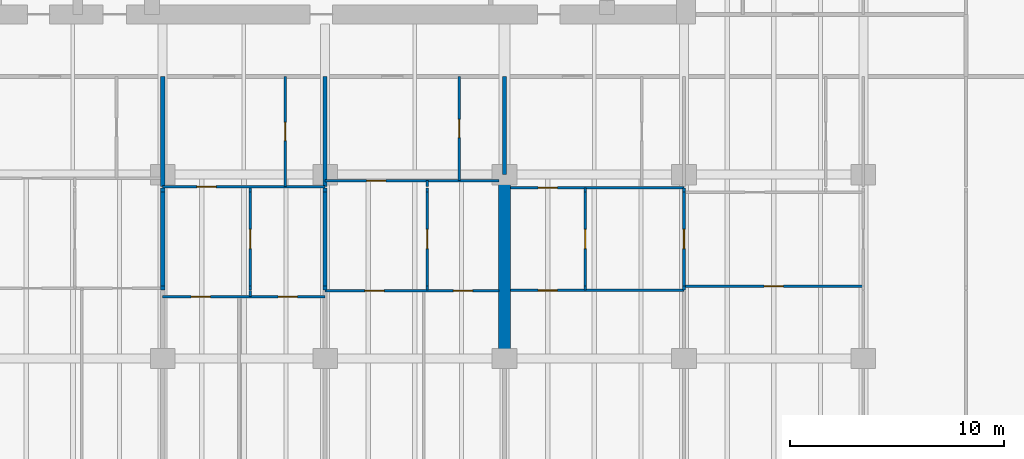
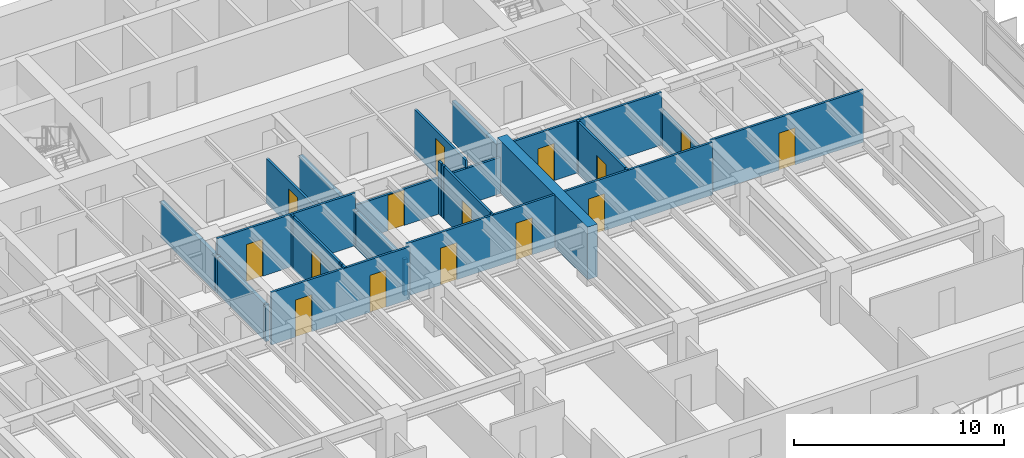
# One storey, part 9 of 18: 33 walls, 15 doors, 15 openings.
"""IFC4 building model written with IfcOpenShell, lengths in metres."""

import ifcopenshell
import ifcopenshell.guid

model = None  # the IFC model being written
_history = None  # IfcOwnerHistory: only IFC2X3 demands one
_inside = {}  # id of a spatial element -> (the spatial element, [elements in it])
_under = {}  # id of a project, library or spatial element -> (it, [spatial elements below it])
_declared = {}  # id of a project -> (the project, [libraries it declares])
_typed = {}  # id of a type object -> (the type object, [elements of that type])
_made_of = {}  # id of a material, layer set ... -> (it, [elements and type objects made of it])


def new_model(schema):
    """Start an empty IFC model of exactly this schema.

    Asked for "IFC4X3", IfcOpenShell would pick the latest addendum, in which some entities
    have other attributes; the version numbers below select the first issue.
    IFC2X3 requires an IfcOwnerHistory on every rooted entity: one is made here for all.
    """
    global model, _history
    if schema == "IFC4X3":
        model = ifcopenshell.file(schema_version=(4, 3, 0, 0))
    else:
        model = ifcopenshell.file(schema=schema)
    _inside.clear()
    _under.clear()
    _declared.clear()
    _typed.clear()
    _made_of.clear()
    _history = None
    if model.schema == "IFC2X3":
        org = make("IfcOrganization", Name="unknown")
        user = make(
            "IfcPersonAndOrganization",
            ThePerson=make("IfcPerson", FamilyName="unknown"),
            TheOrganization=org,
        )
        app = make(
            "IfcApplication",
            ApplicationDeveloper=org,
            Version="unknown",
            ApplicationFullName="unknown",
            ApplicationIdentifier="unknown",
        )
        _history = make(
            "IfcOwnerHistory",
            OwningUser=user,
            OwningApplication=app,
            ChangeAction="ADDED",
            CreationDate=0,
        )
    return model


def make(cls, **values):
    """One entity of the class cls with the attributes given. An attribute that is None is left unset."""
    return model.create_entity(
        cls, **{name: value for name, value in values.items() if value is not None}
    )


def rooted(cls, **values):
    """An entity with a GlobalId (a new one), such as an element, a storey or a relation."""
    return make(cls, GlobalId=ifcopenshell.guid.new(), OwnerHistory=_history, **values)


def si_unit(unit_type, name, prefix=None):
    """IfcSIUnit, for example si_unit("LENGTHUNIT", "METRE", prefix="MILLI")."""
    return make("IfcSIUnit", UnitType=unit_type, Prefix=prefix, Name=name)


def assignment(units):
    """IfcUnitAssignment: the units of a project."""
    return None if units is None else make("IfcUnitAssignment", Units=units)


def point(xyz):
    """IfcCartesianPoint."""
    return None if xyz is None else make("IfcCartesianPoint", Coordinates=xyz)


def direction(xyz):
    """IfcDirection."""
    return None if xyz is None else make("IfcDirection", DirectionRatios=xyz)


def frame(location, z_axis=None, x_axis=None):
    """IfcAxis2Placement3D, a coordinate frame: its origin and axes. An axis left out is left unset."""
    return make(
        "IfcAxis2Placement3D",
        Location=point(location),
        Axis=direction(z_axis),
        RefDirection=direction(x_axis),
    )


def frame_2d(location, x_axis=None):
    """IfcAxis2Placement2D, a coordinate frame in the plane: its origin and x axis."""
    return make(
        "IfcAxis2Placement2D", Location=point(location), RefDirection=direction(x_axis)
    )


def origin():
    """The frame at (0, 0, 0) with its axes left unset."""
    return frame((0.0, 0.0, 0.0))


def place(relative_to, where):
    """IfcLocalPlacement: puts the frame where relative to a parent placement (None: the world)."""
    return make(
        "IfcLocalPlacement", PlacementRelTo=relative_to, RelativePlacement=where
    )


def context(
    kind, dimensions, precision=None, world=None, true_north=None, identifier=None
):
    """IfcGeometricRepresentationContext, for example the 3D "Model" context."""
    return make(
        "IfcGeometricRepresentationContext",
        ContextIdentifier=identifier,
        ContextType=kind,
        CoordinateSpaceDimension=dimensions,
        Precision=precision,
        WorldCoordinateSystem=world,
        TrueNorth=true_north,
    )


def subcontext(parent, identifier, kind, view, scale=None):
    """IfcGeometricRepresentationSubContext, for example "Body" below "Model"."""
    return make(
        "IfcGeometricRepresentationSubContext",
        ContextIdentifier=identifier,
        ContextType=kind,
        ParentContext=parent,
        TargetScale=scale,
        TargetView=view,
    )


def project(units=None, contexts=None):
    """IfcProject with its units and contexts."""
    return rooted(
        "IfcProject",
        Name="project",
        RepresentationContexts=contexts,
        UnitsInContext=assignment(units),
    )


def spatial(cls, under=None, at=None, **own):
    """A site, building, storey or space (cls), placed at a placement, below another one or the project."""
    s = rooted(cls, ObjectPlacement=at, **own)
    if under is not None:
        _under.setdefault(under.id(), (under, []))[1].append(s)
    return s


def profile(cls, at=None, kind="AREA", **sizes):
    """A parametric profile (cls). Its sizes go by their IFC names, for example OverallWidth=200.0."""
    return make(cls, ProfileType=kind, Position=at, **sizes)


def rectangle(**sizes):
    """IfcRectangleProfileDef."""
    return profile("IfcRectangleProfileDef", **sizes)


def extrude(swept, where, along, depth):
    """IfcExtrudedAreaSolid: the profile swept, set in the frame where, extruded along a direction by depth."""
    return make(
        "IfcExtrudedAreaSolid",
        SweptArea=swept,
        Position=where,
        ExtrudedDirection=direction(along),
        Depth=depth,
    )


def shape(context_of_items, identifier, shape_type, items):
    """IfcShapeRepresentation: the items that make up one representation, for example the "Body"."""
    return make(
        "IfcShapeRepresentation",
        ContextOfItems=context_of_items,
        RepresentationIdentifier=identifier,
        RepresentationType=shape_type,
        Items=items,
    )


def material(Name=None, Category=None):
    """IfcMaterial."""
    return make("IfcMaterial", Name=Name, Category=Category)


def layer(
    of_material, thickness, ventilated=None, Name=None, Category=None, Priority=None
):
    """IfcMaterialLayer: one layer of a wall or slab, of a material (None: an air gap)."""
    return make(
        "IfcMaterialLayer",
        Material=of_material,
        LayerThickness=thickness,
        IsVentilated=ventilated,
        Name=Name,
        Category=Category,
        Priority=Priority,
    )


def layer_set(layers, Name=None):
    """IfcMaterialLayerSet."""
    return make("IfcMaterialLayerSet", MaterialLayers=layers, LayerSetName=Name)


def made_of(thing, what):
    """Note that an element or type object is made of a material, layer set ...; save() writes the relation."""
    if what is not None:
        _made_of.setdefault(what.id(), (what, []))[1].append(thing)
    return thing


def type_object(cls, material=None, **own):
    """A type object (cls), such as IfcWallType, which elements share."""
    return made_of(rooted(cls, **own), material)


def element(
    cls,
    number,
    at=None,
    inside=None,
    cuts=None,
    type_object=None,
    material=None,
    context=None,
    identifier="Body",
    shape_type=None,
    held_by="IfcProductDefinitionShape",
    body=None,
    shapes=None,
    **own,
):
    """One element of the class cls, such as IfcWall. Its Tag is "e" and its number.

    at: its placement. inside: the storey or other place that contains it. cuts: it is an
    opening in that element (IfcRelVoidsElement). A single representation is given by context,
    identifier, shape_type and body (its items); several are given by shapes. held_by: the class
    of the entity that holds the representations. save() writes the other relations.
    """
    e = rooted(cls, Tag="e%d" % number, ObjectPlacement=at, **own)
    if body is not None:
        shapes = [shape(context, identifier, shape_type, body)]
    if shapes is not None:
        e.Representation = make(held_by, Representations=shapes)
    if inside is not None:
        _inside.setdefault(inside.id(), (inside, []))[1].append(e)
    if cuts is not None:
        rooted(
            "IfcRelVoidsElement", RelatingBuildingElement=cuts, RelatedOpeningElement=e
        )
    if type_object is not None:
        _typed.setdefault(type_object.id(), (type_object, []))[1].append(e)
    return made_of(e, material)


def fill(opening, filler):
    """IfcRelFillsElement: the door or window that sits in an opening."""
    return rooted(
        "IfcRelFillsElement",
        RelatingOpeningElement=opening,
        RelatedBuildingElement=filler,
    )


def aggregate(whole, parts):
    """IfcRelAggregates: a whole, such as a stair, and the parts it consists of."""
    return rooted("IfcRelAggregates", RelatingObject=whole, RelatedObjects=parts)


def save(model, path):
    """Write the relations noted so far, then the file.

    IfcRelAggregates (storeys below a building ...), IfcRelContainedInSpatialStructure (elements
    in a storey), IfcRelDefinesByType, IfcRelAssociatesMaterial and IfcRelDeclares: one each for
    every whole, place, type object, material and project.
    """
    for whole, parts in _under.values():
        aggregate(whole, parts)
    for where, things in _inside.values():
        rooted(
            "IfcRelContainedInSpatialStructure",
            RelatedElements=things,
            RelatingStructure=where,
        )
    for kind, things in _typed.values():
        rooted("IfcRelDefinesByType", RelatedObjects=things, RelatingType=kind)
    for what, things in _made_of.values():
        rooted("IfcRelAssociatesMaterial", RelatedObjects=things, RelatingMaterial=what)
    for by, libraries in _declared.values():
        rooted("IfcRelDeclares", RelatingContext=by, RelatedDefinitions=libraries)
    model.write(path)


model = new_model("IFC4")

# Units and contexts
model_context = context("Model", 3, precision=1e-05, world=origin(), true_north=direction((0.0, 1.0)))
body_context = subcontext(model_context, "Body", "Model", "MODEL_VIEW")
ifc_project = project(units=[si_unit("LENGTHUNIT", "METRE"), si_unit("AREAUNIT", "SQUARE_METRE"), si_unit("VOLUMEUNIT", "CUBIC_METRE"), si_unit("PLANEANGLEUNIT", "RADIAN"), si_unit("MASSUNIT", "GRAM", prefix="KILO")], contexts=[model_context])

# Site, building, storey
site_placement = place(None, origin())
site = spatial("IfcSite", under=ifc_project, at=site_placement, CompositionType="ELEMENT")
building_placement = place(site_placement, origin())
building = spatial("IfcBuilding", under=site, at=building_placement, Name="Caelmar Bay Residences", CompositionType="ELEMENT")
storey_placement = place(building_placement, frame((0.0, 0.0, 39.89990234375)))
storey = spatial("IfcBuildingStorey", under=building, at=storey_placement, Name="L09", CompositionType="ELEMENT", Elevation=39.89990234375)

# Walls
ifc_material_1 = material(Name="Concrete f'c 70 MPa (10,000 psi)", Category="concrete")
ifc_layer_1 = layer(ifc_material_1, 0.550048828125)
ifc_layer_set_1 = layer_set([ifc_layer_1], Name="Concrete f'c 70 MPa (10,000 psi)")
wall_type_1 = type_object("IfcWallType", Name="SW-XSLB-550", PredefinedType="SHEAR", material=ifc_layer_set_1)
wall_1_placement = place(storey_placement, frame((51.10009765625, 20.800048828125, 0.0), z_axis=(0.0, 0.0, 1.0), x_axis=(0.0, 1.0, 0.0)))
element("IfcWall", 1, at=wall_1_placement, inside=storey, type_object=wall_type_1, Name="L09 Transverse Cross-Slab Shear Wall E8", PredefinedType="SHEAR", context=body_context, shape_type="SweptSolid", body=[
    extrude(rectangle(XDim=8.599853515625, YDim=0.550048828125, at=frame_2d((4.2998046875, 0.0))), origin(), (0.0, 0.0, 1.0), 3.050048828125),
])
ifc_material_2 = material(Name="Acoustic metal-stud gypsum partition 120 mm")
ifc_layer_2 = layer(ifc_material_2, 0.1201171875)
ifc_layer_set_2 = layer_set([ifc_layer_2], Name="Acoustic metal-stud gypsum partition 120 mm")
wall_type_2 = type_object("IfcWallType", Name="W-PRT-120", PredefinedType="PARTITIONING", material=ifc_layer_set_2)
wall_2_placement = place(storey_placement, frame((39.2041015625, 23.68994140625, 0.0), z_axis=(0.0, 0.0, 1.0), x_axis=(0.0, 1.0, 0.0)))
element("IfcWall", 2, at=wall_2_placement, inside=storey, type_object=wall_type_2, Name="L09 Partition Wall V053", PredefinedType="PARTITIONING", context=body_context, shape_type="SweptSolid", body=[
    extrude(rectangle(XDim=0.280029296875, YDim=0.1201171875, at=frame_2d((0.14013671875, 0.0))), origin(), (0.0, 0.0, 1.0), 3.050048828125),
])
wall_3_placement = place(storey_placement, frame((39.2041015625, 24.0, 0.0), z_axis=(0.0, 0.0, 1.0), x_axis=(0.0, 1.0, 0.0)))
element("IfcWall", 3, at=wall_3_placement, inside=storey, type_object=wall_type_2, Name="L09 Partition Wall V054", PredefinedType="PARTITIONING", context=body_context, shape_type="SweptSolid", body=[
    extrude(rectangle(XDim=0.179931640625, YDim=0.1201171875, at=frame_2d((0.08984375, 0.0))), origin(), (0.0, 0.0, 1.0), 3.050048828125),
])

# Wall, opening, door
wall_4_placement = place(storey_placement, frame((39.2041015625, 24.199951171875, 0.0), z_axis=(0.0, 0.0, 1.0), x_axis=(0.0, 1.0, 0.0)))
wall_4 = element("IfcWall", 4, at=wall_4_placement, inside=storey, type_object=wall_type_2, Name="L09 Partition Wall V055", PredefinedType="PARTITIONING", context=body_context, shape_type="SweptSolid", body=[
    extrude(rectangle(XDim=4.380126953125, YDim=0.1201171875, at=frame_2d((2.18994140625, 0.0))), origin(), (0.0, 0.0, 1.0), 3.050048828125),
])
opening_1_placement = place(wall_4_placement, frame((1.739990234375, 0.0, 0.0)))
opening_1 = element("IfcOpeningElement", 5, at=opening_1_placement, cuts=wall_4, Name="Opening D-L09-142", PredefinedType="OPENING", context=body_context, shape_type="SweptSolid", body=[
    extrude(rectangle(XDim=0.89990234375, YDim=2.14990234375, at=frame_2d((0.449951171875, 1.074951171875))), frame((0.0, 0.070068359375, 0.0), z_axis=(0.0, -1.0, 0.0), x_axis=(1.0, 0.0, 0.0)), (0.0, 0.0, 1.0), 0.14013671875),
])
ifc_material_3 = material(Name="Solid walnut timber interior door leaf and frame", Category="wood")
ifc_layer_3 = layer(ifc_material_3, 0.050048828125)
ifc_layer_set_3 = layer_set([ifc_layer_3], Name="Solid walnut timber interior door leaf and frame")
door_type_1 = type_object("IfcDoorType", Name="D-ROOM-900", OperationType="NOTDEFINED", PredefinedType="DOOR", material=ifc_layer_set_3)
door_1_placement = place(opening_1_placement, origin())
door_1 = element("IfcDoor", 6, at=door_1_placement, inside=storey, type_object=door_type_1, Name="L09 Residence 03 Home Office Door", OperationType="SINGLE_SWING_LEFT", OverallHeight=2.14990234375, OverallWidth=0.89990234375, PredefinedType="DOOR", context=body_context, shape_type="SweptSolid", body=[
    extrude(rectangle(XDim=0.89990234375, YDim=2.14990234375, at=frame_2d((0.449951171875, 1.074951171875))), frame((0.0, 0.02490234375, 0.0), z_axis=(0.0, -1.0, 0.0), x_axis=(1.0, 0.0, 0.0)), (0.0, 0.0, 1.0), 0.050048828125),
])
fill(opening_1, door_1)

# Wall
wall_5_placement = place(storey_placement, frame((39.2041015625, 28.60009765625, 0.0), z_axis=(0.0, 0.0, 1.0), x_axis=(0.0, 1.0, 0.0)))
element("IfcWall", 7, at=wall_5_placement, inside=storey, type_object=wall_type_2, Name="L09 Partition Wall V056", PredefinedType="PARTITIONING", context=body_context, shape_type="SweptSolid", body=[
    extrude(rectangle(XDim=0.179931640625, YDim=0.1201171875, at=frame_2d((0.08984375, 0.0))), origin(), (0.0, 0.0, 1.0), 3.050048828125),
])

# Wall, opening, door
wall_6_placement = place(storey_placement, frame((40.840087890625, 28.840087890625, 0.0), z_axis=(0.0, 0.0, 1.0), x_axis=(0.0, 1.0, 0.0)))
wall_6 = element("IfcWall", 8, at=wall_6_placement, inside=storey, type_object=wall_type_2, Name="L09 Partition Wall V058", PredefinedType="PARTITIONING", context=body_context, shape_type="SweptSolid", body=[
    extrude(rectangle(XDim=5.159912109375, YDim=0.1201171875, at=frame_2d((2.580078125, 0.0))), origin(), (0.0, 0.0, 1.0), 2.578125),
])
opening_2_placement = place(wall_6_placement, frame((2.155029296875, 0.0, 0.0)))
opening_2 = element("IfcOpeningElement", 9, at=opening_2_placement, cuts=wall_6, Name="Opening D-L09-140", PredefinedType="OPENING", context=body_context, shape_type="SweptSolid", body=[
    extrude(rectangle(XDim=0.85009765625, YDim=2.10009765625, at=frame_2d((0.425048828125, 1.050048828125))), frame((0.0, 0.070068359375, 0.0), z_axis=(0.0, -1.0, 0.0), x_axis=(1.0, 0.0, 0.0)), (0.0, 0.0, 1.0), 0.14013671875),
])
ifc_layer_4 = layer(ifc_material_3, 0.050048828125)
ifc_layer_set_4 = layer_set([ifc_layer_4], Name="Solid walnut timber interior door leaf and frame")
door_type_2 = type_object("IfcDoorType", Name="D-BATH-850", OperationType="NOTDEFINED", PredefinedType="DOOR", material=ifc_layer_set_4)
door_2_placement = place(opening_2_placement, origin())
door_2 = element("IfcDoor", 10, at=door_2_placement, inside=storey, type_object=door_type_2, Name="L09 Residence 03 Bathroom Door", OperationType="SINGLE_SWING_LEFT", OverallHeight=2.10009765625, OverallWidth=0.85009765625, PredefinedType="DOOR", context=body_context, shape_type="SweptSolid", body=[
    extrude(rectangle(XDim=0.85009765625, YDim=2.10009765625, at=frame_2d((0.425048828125, 1.050048828125))), frame((0.0, 0.02490234375, 0.0), z_axis=(0.0, -1.0, 0.0), x_axis=(1.0, 0.0, 0.0)), (0.0, 0.0, 1.0), 0.050048828125),
])
fill(opening_2, door_2)

# Wall
wall_7_placement = place(storey_placement, frame((47.486083984375, 24.0, 0.0), z_axis=(0.0, 0.0, 1.0), x_axis=(0.0, 1.0, 0.0)))
element("IfcWall", 11, at=wall_7_placement, inside=storey, type_object=wall_type_2, Name="L09 Partition Wall V071", PredefinedType="PARTITIONING", context=body_context, shape_type="SweptSolid", body=[
    extrude(rectangle(XDim=0.179931640625, YDim=0.1201171875, at=frame_2d((0.08984375, 0.0))), origin(), (0.0, 0.0, 1.0), 3.050048828125),
])

# Wall, opening, door
wall_8_placement = place(storey_placement, frame((47.486083984375, 24.199951171875, 0.0), z_axis=(0.0, 0.0, 1.0), x_axis=(0.0, 1.0, 0.0)))
wall_8 = element("IfcWall", 12, at=wall_8_placement, inside=storey, type_object=wall_type_2, Name="L09 Partition Wall V072", PredefinedType="PARTITIONING", context=body_context, shape_type="SweptSolid", body=[
    extrude(rectangle(XDim=4.380126953125, YDim=0.1201171875, at=frame_2d((2.18994140625, 0.0))), origin(), (0.0, 0.0, 1.0), 3.050048828125),
])
opening_3_placement = place(wall_8_placement, frame((1.739990234375, 0.0, 0.0)))
opening_3 = element("IfcOpeningElement", 13, at=opening_3_placement, cuts=wall_8, Name="Opening D-L09-149", PredefinedType="OPENING", context=body_context, shape_type="SweptSolid", body=[
    extrude(rectangle(XDim=0.89990234375, YDim=2.14990234375, at=frame_2d((0.449951171875, 1.074951171875))), frame((0.0, 0.070068359375, 0.0), z_axis=(0.0, -1.0, 0.0), x_axis=(1.0, 0.0, 0.0)), (0.0, 0.0, 1.0), 0.14013671875),
])
door_3_placement = place(opening_3_placement, origin())
door_3 = element("IfcDoor", 14, at=door_3_placement, inside=storey, type_object=door_type_1, Name="L09 Residence 04 Home Office Door", OperationType="SINGLE_SWING_RIGHT", OverallHeight=2.14990234375, OverallWidth=0.89990234375, PredefinedType="DOOR", context=body_context, shape_type="SweptSolid", body=[
    extrude(rectangle(XDim=0.89990234375, YDim=2.14990234375, at=frame_2d((0.449951171875, 1.074951171875))), frame((0.0, 0.02490234375, 0.0), z_axis=(0.0, -1.0, 0.0), x_axis=(1.0, 0.0, 0.0)), (0.0, 0.0, 1.0), 0.050048828125),
])
fill(opening_3, door_3)

# Walls
wall_9_placement = place(storey_placement, frame((47.486083984375, 28.60009765625, 0.0), z_axis=(0.0, 0.0, 1.0), x_axis=(0.0, 1.0, 0.0)))
element("IfcWall", 15, at=wall_9_placement, inside=storey, type_object=wall_type_2, Name="L09 Partition Wall V073", PredefinedType="PARTITIONING", context=body_context, shape_type="SweptSolid", body=[
    extrude(rectangle(XDim=0.179931640625, YDim=0.1201171875, at=frame_2d((0.08984375, 0.0))), origin(), (0.0, 0.0, 1.0), 3.050048828125),
])
wall_10_placement = place(storey_placement, frame((47.486083984375, 28.840087890625, 0.0), z_axis=(0.0, 0.0, 1.0), x_axis=(0.0, 1.0, 0.0)))
element("IfcWall", 16, at=wall_10_placement, inside=storey, type_object=wall_type_2, Name="L09 Partition Wall V074", PredefinedType="PARTITIONING", context=body_context, shape_type="SweptSolid", body=[
    extrude(rectangle(XDim=0.280029296875, YDim=0.1201171875, at=frame_2d((0.14013671875, 0.0))), origin(), (0.0, 0.0, 1.0), 3.050048828125),
])

# Wall, opening, door
wall_11_placement = place(storey_placement, frame((48.989013671875, 29.1201171875, 0.0), z_axis=(0.0, 0.0, 1.0), x_axis=(0.0, 1.0, 0.0)))
wall_11 = element("IfcWall", 17, at=wall_11_placement, inside=storey, type_object=wall_type_2, Name="L09 Partition Wall V076", PredefinedType="PARTITIONING", context=body_context, shape_type="SweptSolid", body=[
    extrude(rectangle(XDim=4.8798828125, YDim=0.1201171875, at=frame_2d((2.43994140625, 0.0))), origin(), (0.0, 0.0, 1.0), 2.578125),
])
opening_4_placement = place(wall_11_placement, frame((2.014892578125, 0.0, 0.0)))
opening_4 = element("IfcOpeningElement", 18, at=opening_4_placement, cuts=wall_11, Name="Opening D-L09-147", PredefinedType="OPENING", context=body_context, shape_type="SweptSolid", body=[
    extrude(rectangle(XDim=0.85009765625, YDim=2.10009765625, at=frame_2d((0.425048828125, 1.050048828125))), frame((0.0, 0.070068359375, 0.0), z_axis=(0.0, -1.0, 0.0), x_axis=(1.0, 0.0, 0.0)), (0.0, 0.0, 1.0), 0.14013671875),
])
door_4_placement = place(opening_4_placement, origin())
door_4 = element("IfcDoor", 19, at=door_4_placement, inside=storey, type_object=door_type_2, Name="L09 Residence 04 Bathroom Door", OperationType="SINGLE_SWING_RIGHT", OverallHeight=2.10009765625, OverallWidth=0.85009765625, PredefinedType="DOOR", context=body_context, shape_type="SweptSolid", body=[
    extrude(rectangle(XDim=0.85009765625, YDim=2.10009765625, at=frame_2d((0.425048828125, 1.050048828125))), frame((0.0, 0.02490234375, 0.0), z_axis=(0.0, -1.0, 0.0), x_axis=(1.0, 0.0, 0.0)), (0.0, 0.0, 1.0), 0.050048828125),
])
fill(opening_4, door_4)

# Wall
wall_12_placement = place(storey_placement, frame((54.8798828125, 24.0, 0.0), z_axis=(0.0, 0.0, 1.0), x_axis=(0.0, 1.0, 0.0)))
element("IfcWall", 20, at=wall_12_placement, inside=storey, type_object=wall_type_2, Name="L09 Partition Wall V084", PredefinedType="PARTITIONING", context=body_context, shape_type="SweptSolid", body=[
    extrude(rectangle(XDim=0.179931640625, YDim=0.1201171875, at=frame_2d((0.08984375, 0.0))), origin(), (0.0, 0.0, 1.0), 3.050048828125),
])

# Wall, opening, door
wall_13_placement = place(storey_placement, frame((54.8798828125, 24.199951171875, 0.0), z_axis=(0.0, 0.0, 1.0), x_axis=(0.0, 1.0, 0.0)))
wall_13 = element("IfcWall", 21, at=wall_13_placement, inside=storey, type_object=wall_type_2, Name="L09 Partition Wall V085", PredefinedType="PARTITIONING", context=body_context, shape_type="SweptSolid", body=[
    extrude(rectangle(XDim=4.380126953125, YDim=0.1201171875, at=frame_2d((2.18994140625, 0.0))), origin(), (0.0, 0.0, 1.0), 3.050048828125),
])
opening_5_placement = place(wall_13_placement, frame((1.739990234375, 0.0, 0.0)))
opening_5 = element("IfcOpeningElement", 22, at=opening_5_placement, cuts=wall_13, Name="Opening D-L09-156", PredefinedType="OPENING", context=body_context, shape_type="SweptSolid", body=[
    extrude(rectangle(XDim=0.89990234375, YDim=2.14990234375, at=frame_2d((0.449951171875, 1.074951171875))), frame((0.0, 0.070068359375, 0.0), z_axis=(0.0, -1.0, 0.0), x_axis=(1.0, 0.0, 0.0)), (0.0, 0.0, 1.0), 0.14013671875),
])
door_5_placement = place(opening_5_placement, origin())
door_5 = element("IfcDoor", 23, at=door_5_placement, inside=storey, type_object=door_type_1, Name="L09 Residence 05 Kitchen Door", OperationType="SINGLE_SWING_LEFT", OverallHeight=2.14990234375, OverallWidth=0.89990234375, PredefinedType="DOOR", context=body_context, shape_type="SweptSolid", body=[
    extrude(rectangle(XDim=0.89990234375, YDim=2.14990234375, at=frame_2d((0.449951171875, 1.074951171875))), frame((0.0, 0.02490234375, 0.0), z_axis=(0.0, -1.0, 0.0), x_axis=(1.0, 0.0, 0.0)), (0.0, 0.0, 1.0), 0.050048828125),
])
fill(opening_5, door_5)

# Walls
wall_14_placement = place(storey_placement, frame((54.8798828125, 28.60009765625, 0.0), z_axis=(0.0, 0.0, 1.0), x_axis=(0.0, 1.0, 0.0)))
element("IfcWall", 24, at=wall_14_placement, inside=storey, type_object=wall_type_2, Name="L09 Partition Wall V086", PredefinedType="PARTITIONING", context=body_context, shape_type="SweptSolid", body=[
    extrude(rectangle(XDim=0.179931640625, YDim=0.1201171875, at=frame_2d((0.08984375, 0.0))), origin(), (0.0, 0.0, 1.0), 3.050048828125),
])
wall_15_placement = place(storey_placement, frame((59.5, 24.0, 0.0), z_axis=(0.0, 0.0, 1.0), x_axis=(0.0, 1.0, 0.0)))
element("IfcWall", 25, at=wall_15_placement, inside=storey, type_object=wall_type_2, Name="L09 Partition Wall V091", PredefinedType="PARTITIONING", context=body_context, shape_type="SweptSolid", body=[
    extrude(rectangle(XDim=0.179931640625, YDim=0.1201171875, at=frame_2d((0.08984375, 0.0))), origin(), (0.0, 0.0, 1.0), 2.110107421875),
])

# Wall, opening, door
wall_16_placement = place(storey_placement, frame((59.5, 24.199951171875, 0.0), z_axis=(0.0, 0.0, 1.0), x_axis=(0.0, 1.0, 0.0)))
wall_16 = element("IfcWall", 26, at=wall_16_placement, inside=storey, type_object=wall_type_2, Name="L09 Partition Wall V092", PredefinedType="PARTITIONING", context=body_context, shape_type="SweptSolid", body=[
    extrude(rectangle(XDim=4.380126953125, YDim=0.1201171875, at=frame_2d((2.18994140625, 0.0))), origin(), (0.0, 0.0, 1.0), 2.110107421875),
])
opening_6_placement = place(wall_16_placement, frame((1.739990234375, 0.0, 0.0)))
opening_6 = element("IfcOpeningElement", 27, at=opening_6_placement, cuts=wall_16, Name="Opening D-L09-158", PredefinedType="OPENING", context=body_context, shape_type="SweptSolid", body=[
    extrude(rectangle(XDim=0.89990234375, YDim=2.06005859375, at=frame_2d((0.449951171875, 1.030029296875))), frame((0.0, 0.070068359375, 0.0), z_axis=(0.0, -1.0, 0.0), x_axis=(1.0, 0.0, 0.0)), (0.0, 0.0, 1.0), 0.14013671875),
])
door_6_placement = place(opening_6_placement, origin())
door_6 = element("IfcDoor", 28, at=door_6_placement, inside=storey, type_object=door_type_1, Name="L09 Residence 05 Library Study 1 Door", OperationType="SINGLE_SWING_LEFT", OverallHeight=2.06005859375, OverallWidth=0.89990234375, PredefinedType="DOOR", context=body_context, shape_type="SweptSolid", body=[
    extrude(rectangle(XDim=0.89990234375, YDim=2.06005859375, at=frame_2d((0.449951171875, 1.030029296875))), frame((0.0, 0.02490234375, 0.0), z_axis=(0.0, -1.0, 0.0), x_axis=(1.0, 0.0, 0.0)), (0.0, 0.0, 1.0), 0.050048828125),
])
fill(opening_6, door_6)

# Wall
wall_17_placement = place(storey_placement, frame((59.5, 28.60009765625, 0.0), z_axis=(0.0, 0.0, 1.0), x_axis=(0.0, 1.0, 0.0)))
element("IfcWall", 29, at=wall_17_placement, inside=storey, type_object=wall_type_2, Name="L09 Partition Wall V093", PredefinedType="PARTITIONING", context=body_context, shape_type="SweptSolid", body=[
    extrude(rectangle(XDim=0.179931640625, YDim=0.1201171875, at=frame_2d((0.08984375, 0.0))), origin(), (0.0, 0.0, 1.0), 2.110107421875),
])

# Wall, openings, doors
wall_18_placement = place(storey_placement, frame((35.10009765625, 23.68994140625, 0.0), z_axis=(0.0, 0.0, 1.0), x_axis=(1.0, 0.0, 0.0)))
wall_18 = element("IfcWall", 30, at=wall_18_placement, inside=storey, type_object=wall_type_2, Name="L09 Partition Wall H117", PredefinedType="PARTITIONING", context=body_context, shape_type="SweptSolid", body=[
    extrude(rectangle(XDim=7.599853515625, YDim=0.1201171875, at=frame_2d((3.7998046875, 0.0))), origin(), (0.0, 0.0, 1.0), 3.050048828125),
])
opening_7_placement = place(wall_18_placement, frame((1.3359375, 0.0, 0.0)))
opening_7 = element("IfcOpeningElement", 31, at=opening_7_placement, cuts=wall_18, Name="Opening D-L09-143", PredefinedType="OPENING", context=body_context, shape_type="SweptSolid", body=[
    extrude(rectangle(XDim=0.89990234375, YDim=2.14990234375, at=frame_2d((0.449951171875, 1.074951171875))), frame((0.0, 0.070068359375, 0.0), z_axis=(0.0, -1.0, 0.0), x_axis=(1.0, 0.0, 0.0)), (0.0, 0.0, 1.0), 0.14013671875),
])
opening_8_placement = place(wall_18_placement, frame((5.402099609375, 0.0, 0.0)))
opening_8 = element("IfcOpeningElement", 32, at=opening_8_placement, cuts=wall_18, Name="Opening D-L09-144", PredefinedType="OPENING", context=body_context, shape_type="SweptSolid", body=[
    extrude(rectangle(XDim=0.89990234375, YDim=2.14990234375, at=frame_2d((0.449951171875, 1.074951171875))), frame((0.0, 0.070068359375, 0.0), z_axis=(0.0, -1.0, 0.0), x_axis=(1.0, 0.0, 0.0)), (0.0, 0.0, 1.0), 0.14013671875),
])
door_7_placement = place(opening_7_placement, origin())
door_7 = element("IfcDoor", 33, at=door_7_placement, inside=storey, type_object=door_type_1, Name="L09 Residence 03 Living Room Door", OperationType="SINGLE_SWING_RIGHT", OverallHeight=2.14990234375, OverallWidth=0.89990234375, PredefinedType="DOOR", context=body_context, shape_type="SweptSolid", body=[
    extrude(rectangle(XDim=0.89990234375, YDim=2.14990234375, at=frame_2d((0.449951171875, 1.074951171875))), frame((0.0, 0.02490234375, 0.0), z_axis=(0.0, -1.0, 0.0), x_axis=(1.0, 0.0, 0.0)), (0.0, 0.0, 1.0), 0.050048828125),
])
fill(opening_7, door_7)
door_8_placement = place(opening_8_placement, origin())
door_8 = element("IfcDoor", 34, at=door_8_placement, inside=storey, type_object=door_type_1, Name="L09 Residence 03 Penthouse Sitting Room Door", OperationType="SINGLE_SWING_LEFT", OverallHeight=2.14990234375, OverallWidth=0.89990234375, PredefinedType="DOOR", context=body_context, shape_type="SweptSolid", body=[
    extrude(rectangle(XDim=0.89990234375, YDim=2.14990234375, at=frame_2d((0.449951171875, 1.074951171875))), frame((0.0, 0.02490234375, 0.0), z_axis=(0.0, -1.0, 0.0), x_axis=(1.0, 0.0, 0.0)), (0.0, 0.0, 1.0), 0.050048828125),
])
fill(opening_8, door_8)

wall_19_placement = place(storey_placement, frame((42.699951171875, 23.969970703125, 0.0), z_axis=(0.0, 0.0, 1.0), x_axis=(1.0, 0.0, 0.0)))
wall_19 = element("IfcWall", 35, at=wall_19_placement, inside=storey, type_object=wall_type_2, Name="L09 Partition Wall H118", PredefinedType="PARTITIONING", context=body_context, shape_type="SweptSolid", body=[
    extrude(rectangle(XDim=8.130126953125, YDim=0.1201171875, at=frame_2d((4.06494140625, 0.0))), origin(), (0.0, 0.0, 1.0), 3.050048828125),
])
opening_9_placement = place(wall_19_placement, frame((1.860107421875, 0.0, 0.0)))
opening_9 = element("IfcOpeningElement", 36, at=opening_9_placement, cuts=wall_19, Name="Opening D-L09-150", PredefinedType="OPENING", context=body_context, shape_type="SweptSolid", body=[
    extrude(rectangle(XDim=0.89990234375, YDim=2.14990234375, at=frame_2d((0.449951171875, 1.074951171875))), frame((0.0, 0.070068359375, 0.0), z_axis=(0.0, -1.0, 0.0), x_axis=(1.0, 0.0, 0.0)), (0.0, 0.0, 1.0), 0.14013671875),
])
opening_10_placement = place(wall_19_placement, frame((6.008056640625, 0.0, 0.0)))
opening_10 = element("IfcOpeningElement", 37, at=opening_10_placement, cuts=wall_19, Name="Opening D-L09-151", PredefinedType="OPENING", context=body_context, shape_type="SweptSolid", body=[
    extrude(rectangle(XDim=0.89990234375, YDim=2.14990234375, at=frame_2d((0.449951171875, 1.074951171875))), frame((0.0, 0.070068359375, 0.0), z_axis=(0.0, -1.0, 0.0), x_axis=(1.0, 0.0, 0.0)), (0.0, 0.0, 1.0), 0.14013671875),
])
door_9_placement = place(opening_9_placement, origin())
door_9 = element("IfcDoor", 38, at=door_9_placement, inside=storey, type_object=door_type_1, Name="L09 Residence 04 Penthouse Living Salon Door", OperationType="SINGLE_SWING_LEFT", OverallHeight=2.14990234375, OverallWidth=0.89990234375, PredefinedType="DOOR", context=body_context, shape_type="SweptSolid", body=[
    extrude(rectangle(XDim=0.89990234375, YDim=2.14990234375, at=frame_2d((0.449951171875, 1.074951171875))), frame((0.0, 0.02490234375, 0.0), z_axis=(0.0, -1.0, 0.0), x_axis=(1.0, 0.0, 0.0)), (0.0, 0.0, 1.0), 0.050048828125),
])
fill(opening_9, door_9)
door_10_placement = place(opening_10_placement, origin())
door_10 = element("IfcDoor", 39, at=door_10_placement, inside=storey, type_object=door_type_1, Name="L09 Residence 04 Penthouse Sitting Room Door", OperationType="SINGLE_SWING_RIGHT", OverallHeight=2.14990234375, OverallWidth=0.89990234375, PredefinedType="DOOR", context=body_context, shape_type="SweptSolid", body=[
    extrude(rectangle(XDim=0.89990234375, YDim=2.14990234375, at=frame_2d((0.449951171875, 1.074951171875))), frame((0.0, 0.02490234375, 0.0), z_axis=(0.0, -1.0, 0.0), x_axis=(1.0, 0.0, 0.0)), (0.0, 0.0, 1.0), 0.050048828125),
])
fill(opening_10, door_10)

# Wall, opening, door
wall_20_placement = place(storey_placement, frame((51.3701171875, 23.97998046875, 0.0), z_axis=(0.0, 0.0, 1.0), x_axis=(1.0, 0.0, 0.0)))
wall_20 = element("IfcWall", 40, at=wall_20_placement, inside=storey, type_object=wall_type_2, Name="L09 Partition Wall H119", PredefinedType="PARTITIONING", context=body_context, shape_type="SweptSolid", body=[
    extrude(rectangle(XDim=8.1298828125, YDim=0.1201171875, at=frame_2d((4.06494140625, 0.0))), origin(), (0.0, 0.0, 1.0), 3.050048828125),
])
opening_11_placement = place(wall_20_placement, frame((1.304931640625, 0.0, 0.0)))
opening_11 = element("IfcOpeningElement", 41, at=opening_11_placement, cuts=wall_20, Name="Opening D-L09-157", PredefinedType="OPENING", context=body_context, shape_type="SweptSolid", body=[
    extrude(rectangle(XDim=0.89990234375, YDim=2.14990234375, at=frame_2d((0.449951171875, 1.074951171875))), frame((0.0, 0.070068359375, 0.0), z_axis=(0.0, -1.0, 0.0), x_axis=(1.0, 0.0, 0.0)), (0.0, 0.0, 1.0), 0.14013671875),
])
door_11_placement = place(opening_11_placement, origin())
door_11 = element("IfcDoor", 42, at=door_11_placement, inside=storey, type_object=door_type_1, Name="L09 Residence 05 Penthouse Living Salon Door", OperationType="SINGLE_SWING_RIGHT", OverallHeight=2.14990234375, OverallWidth=0.89990234375, PredefinedType="DOOR", context=body_context, shape_type="SweptSolid", body=[
    extrude(rectangle(XDim=0.89990234375, YDim=2.14990234375, at=frame_2d((0.449951171875, 1.074951171875))), frame((0.0, 0.02490234375, 0.0), z_axis=(0.0, -1.0, 0.0), x_axis=(1.0, 0.0, 0.0)), (0.0, 0.0, 1.0), 0.050048828125),
])
fill(opening_11, door_11)

wall_21_placement = place(storey_placement, frame((59.5048828125, 24.179931640625, 0.0), z_axis=(0.0, 0.0, 1.0), x_axis=(1.0, 0.0, 0.0)))
wall_21 = element("IfcWall", 43, at=wall_21_placement, inside=storey, type_object=wall_type_2, Name="L09 Partition Wall H122", PredefinedType="PARTITIONING", context=body_context, shape_type="SweptSolid", body=[
    extrude(rectangle(XDim=8.39501953125, YDim=0.1201171875, at=frame_2d((4.197509765625, 0.0))), origin(), (0.0, 0.0, 1.0), 3.050048828125),
])
opening_12_placement = place(wall_21_placement, frame((3.74755859375, 0.0, 0.0)))
opening_12 = element("IfcOpeningElement", 44, at=opening_12_placement, cuts=wall_21, Name="Opening D-L09-161", PredefinedType="OPENING", context=body_context, shape_type="SweptSolid", body=[
    extrude(rectangle(XDim=0.89990234375, YDim=2.14990234375, at=frame_2d((0.449951171875, 1.074951171875))), frame((0.0, 0.070068359375, 0.0), z_axis=(0.0, -1.0, 0.0), x_axis=(1.0, 0.0, 0.0)), (0.0, 0.0, 1.0), 0.14013671875),
])
door_12_placement = place(opening_12_placement, origin())
door_12 = element("IfcDoor", 45, at=door_12_placement, inside=storey, type_object=door_type_1, Name="L09 Residence 05 Penthouse Sitting Salon 1 Door", OperationType="SINGLE_SWING_RIGHT", OverallHeight=2.14990234375, OverallWidth=0.89990234375, PredefinedType="DOOR", context=body_context, shape_type="SweptSolid", body=[
    extrude(rectangle(XDim=0.89990234375, YDim=2.14990234375, at=frame_2d((0.449951171875, 1.074951171875))), frame((0.0, 0.02490234375, 0.0), z_axis=(0.0, -1.0, 0.0), x_axis=(1.0, 0.0, 0.0)), (0.0, 0.0, 1.0), 0.050048828125),
])
fill(opening_12, door_12)

wall_22_placement = place(storey_placement, frame((51.3701171875, 28.780029296875, 0.0), z_axis=(0.0, 0.0, 1.0), x_axis=(1.0, 0.0, 0.0)))
wall_22 = element("IfcWall", 46, at=wall_22_placement, inside=storey, type_object=wall_type_2, Name="L09 Partition Wall H126", PredefinedType="PARTITIONING", context=body_context, shape_type="SweptSolid", body=[
    extrude(rectangle(XDim=8.1298828125, YDim=0.1201171875, at=frame_2d((4.06494140625, 0.0))), origin(), (0.0, 0.0, 1.0), 3.050048828125),
])
opening_13_placement = place(wall_22_placement, frame((1.304931640625, 0.0, 0.0)))
opening_13 = element("IfcOpeningElement", 47, at=opening_13_placement, cuts=wall_22, Name="Opening D-L09-155", PredefinedType="OPENING", context=body_context, shape_type="SweptSolid", body=[
    extrude(rectangle(XDim=0.89990234375, YDim=2.14990234375, at=frame_2d((0.449951171875, 1.074951171875))), frame((0.0, 0.070068359375, 0.0), z_axis=(0.0, -1.0, 0.0), x_axis=(1.0, 0.0, 0.0)), (0.0, 0.0, 1.0), 0.14013671875),
])
door_13_placement = place(opening_13_placement, origin())
door_13 = element("IfcDoor", 48, at=door_13_placement, inside=storey, type_object=door_type_1, Name="L09 Residence 05 Dining Room Door", OperationType="SINGLE_SWING_RIGHT", OverallHeight=2.14990234375, OverallWidth=0.89990234375, PredefinedType="DOOR", context=body_context, shape_type="SweptSolid", body=[
    extrude(rectangle(XDim=0.89990234375, YDim=2.14990234375, at=frame_2d((0.449951171875, 1.074951171875))), frame((0.0, 0.02490234375, 0.0), z_axis=(0.0, -1.0, 0.0), x_axis=(1.0, 0.0, 0.0)), (0.0, 0.0, 1.0), 0.050048828125),
])
fill(opening_13, door_13)

wall_23_placement = place(storey_placement, frame((35.10009765625, 28.840087890625, 0.0), z_axis=(0.0, 0.0, 1.0), x_axis=(1.0, 0.0, 0.0)))
wall_23 = element("IfcWall", 49, at=wall_23_placement, inside=storey, type_object=wall_type_2, Name="L09 Partition Wall H128", PredefinedType="PARTITIONING", context=body_context, shape_type="SweptSolid", body=[
    extrude(rectangle(XDim=7.599853515625, YDim=0.1201171875, at=frame_2d((3.7998046875, 0.0))), origin(), (0.0, 0.0, 1.0), 3.050048828125),
])
opening_14_placement = place(wall_23_placement, frame((1.60205078125, 0.0, 0.0)))
opening_14 = element("IfcOpeningElement", 50, at=opening_14_placement, cuts=wall_23, Name="Opening D-L09-141", PredefinedType="OPENING", context=body_context, shape_type="SweptSolid", body=[
    extrude(rectangle(XDim=0.89990234375, YDim=2.14990234375, at=frame_2d((0.449951171875, 1.074951171875))), frame((0.0, 0.070068359375, 0.0), z_axis=(0.0, -1.0, 0.0), x_axis=(1.0, 0.0, 0.0)), (0.0, 0.0, 1.0), 0.14013671875),
])
door_14_placement = place(opening_14_placement, origin())
door_14 = element("IfcDoor", 51, at=door_14_placement, inside=storey, type_object=door_type_1, Name="L09 Residence 03 Kitchen Door", OperationType="SINGLE_SWING_RIGHT", OverallHeight=2.14990234375, OverallWidth=0.89990234375, PredefinedType="DOOR", context=body_context, shape_type="SweptSolid", body=[
    extrude(rectangle(XDim=0.89990234375, YDim=2.14990234375, at=frame_2d((0.449951171875, 1.074951171875))), frame((0.0, 0.02490234375, 0.0), z_axis=(0.0, -1.0, 0.0), x_axis=(1.0, 0.0, 0.0)), (0.0, 0.0, 1.0), 0.050048828125),
])
fill(opening_14, door_14)

wall_24_placement = place(storey_placement, frame((42.699951171875, 29.1201171875, 0.0), z_axis=(0.0, 0.0, 1.0), x_axis=(1.0, 0.0, 0.0)))
wall_24 = element("IfcWall", 52, at=wall_24_placement, inside=storey, type_object=wall_type_2, Name="L09 Partition Wall H129", PredefinedType="PARTITIONING", context=body_context, shape_type="SweptSolid", body=[
    extrude(rectangle(XDim=8.130126953125, YDim=0.1201171875, at=frame_2d((4.06494140625, 0.0))), origin(), (0.0, 0.0, 1.0), 2.110107421875),
])
opening_15_placement = place(wall_24_placement, frame((1.943115234375, 0.0, 0.0)))
opening_15 = element("IfcOpeningElement", 53, at=opening_15_placement, cuts=wall_24, Name="Opening D-L09-148", PredefinedType="OPENING", context=body_context, shape_type="SweptSolid", body=[
    extrude(rectangle(XDim=0.89990234375, YDim=2.06005859375, at=frame_2d((0.449951171875, 1.030029296875))), frame((0.0, 0.070068359375, 0.0), z_axis=(0.0, -1.0, 0.0), x_axis=(1.0, 0.0, 0.0)), (0.0, 0.0, 1.0), 0.14013671875),
])
door_15_placement = place(opening_15_placement, origin())
door_15 = element("IfcDoor", 54, at=door_15_placement, inside=storey, type_object=door_type_1, Name="L09 Residence 04 Kitchen Door", OperationType="SINGLE_SWING_LEFT", OverallHeight=2.06005859375, OverallWidth=0.89990234375, PredefinedType="DOOR", context=body_context, shape_type="SweptSolid", body=[
    extrude(rectangle(XDim=0.89990234375, YDim=2.06005859375, at=frame_2d((0.449951171875, 1.030029296875))), frame((0.0, 0.02490234375, 0.0), z_axis=(0.0, -1.0, 0.0), x_axis=(1.0, 0.0, 0.0)), (0.0, 0.0, 1.0), 0.050048828125),
])
fill(opening_15, door_15)

# Walls
ifc_material_4 = material(Name="Acoustic twin-stud fire-rated inter-tenancy partition 200 mm")
ifc_layer_5 = layer(ifc_material_4, 0.199951171875)
ifc_layer_set_5 = layer_set([ifc_layer_5], Name="Acoustic twin-stud fire-rated inter-tenancy partition 200 mm")
wall_type_3 = type_object("IfcWallType", Name="W-PTY-200", PredefinedType="PARTITIONING", material=ifc_layer_set_5)
wall_25_placement = place(storey_placement, frame((35.10009765625, 24.0, 0.0), z_axis=(0.0, 0.0, 1.0), x_axis=(0.0, 1.0, 0.0)))
element("IfcWall", 55, at=wall_25_placement, inside=storey, type_object=wall_type_3, Name="L09 Partition Wall V046", PredefinedType="PARTITIONING", context=body_context, shape_type="SweptSolid", body=[
    extrude(rectangle(XDim=0.179931640625, YDim=0.199951171875, at=frame_2d((0.08984375, 0.0))), origin(), (0.0, 0.0, 1.0), 2.110107421875),
])
wall_26_placement = place(storey_placement, frame((35.10009765625, 24.199951171875, 0.0), z_axis=(0.0, 0.0, 1.0), x_axis=(0.0, 1.0, 0.0)))
element("IfcWall", 56, at=wall_26_placement, inside=storey, type_object=wall_type_3, Name="L09 Partition Wall V047", PredefinedType="PARTITIONING", context=body_context, shape_type="SweptSolid", body=[
    extrude(rectangle(XDim=4.380126953125, YDim=0.199951171875, at=frame_2d((2.18994140625, 0.0))), origin(), (0.0, 0.0, 1.0), 2.110107421875),
])
wall_27_placement = place(storey_placement, frame((35.10009765625, 28.60009765625, 0.0), z_axis=(0.0, 0.0, 1.0), x_axis=(0.0, 1.0, 0.0)))
element("IfcWall", 57, at=wall_27_placement, inside=storey, type_object=wall_type_3, Name="L09 Partition Wall V048", PredefinedType="PARTITIONING", context=body_context, shape_type="SweptSolid", body=[
    extrude(rectangle(XDim=0.179931640625, YDim=0.199951171875, at=frame_2d((0.08984375, 0.0))), origin(), (0.0, 0.0, 1.0), 2.110107421875),
])
wall_28_placement = place(storey_placement, frame((35.10009765625, 28.840087890625, 0.0), z_axis=(0.0, 0.0, 1.0), x_axis=(0.0, 1.0, 0.0)))
element("IfcWall", 58, at=wall_28_placement, inside=storey, type_object=wall_type_3, Name="L09 Partition Wall V049", PredefinedType="PARTITIONING", context=body_context, shape_type="SweptSolid", body=[
    extrude(rectangle(XDim=5.159912109375, YDim=0.199951171875, at=frame_2d((2.580078125, 0.0))), origin(), (0.0, 0.0, 1.0), 2.110107421875),
])
wall_29_placement = place(storey_placement, frame((42.699951171875, 24.0, 0.0), z_axis=(0.0, 0.0, 1.0), x_axis=(0.0, 1.0, 0.0)))
element("IfcWall", 59, at=wall_29_placement, inside=storey, type_object=wall_type_3, Name="L09 Partition Wall V062", PredefinedType="PARTITIONING", context=body_context, shape_type="SweptSolid", body=[
    extrude(rectangle(XDim=0.179931640625, YDim=0.199951171875, at=frame_2d((0.08984375, 0.0))), origin(), (0.0, 0.0, 1.0), 2.110107421875),
])
wall_30_placement = place(storey_placement, frame((42.699951171875, 24.199951171875, 0.0), z_axis=(0.0, 0.0, 1.0), x_axis=(0.0, 1.0, 0.0)))
element("IfcWall", 60, at=wall_30_placement, inside=storey, type_object=wall_type_3, Name="L09 Partition Wall V063", PredefinedType="PARTITIONING", context=body_context, shape_type="SweptSolid", body=[
    extrude(rectangle(XDim=4.380126953125, YDim=0.199951171875, at=frame_2d((2.18994140625, 0.0))), origin(), (0.0, 0.0, 1.0), 2.110107421875),
])
wall_31_placement = place(storey_placement, frame((42.699951171875, 28.60009765625, 0.0), z_axis=(0.0, 0.0, 1.0), x_axis=(0.0, 1.0, 0.0)))
element("IfcWall", 61, at=wall_31_placement, inside=storey, type_object=wall_type_3, Name="L09 Partition Wall V064", PredefinedType="PARTITIONING", context=body_context, shape_type="SweptSolid", body=[
    extrude(rectangle(XDim=0.179931640625, YDim=0.199951171875, at=frame_2d((0.08984375, 0.0))), origin(), (0.0, 0.0, 1.0), 2.110107421875),
])
wall_32_placement = place(storey_placement, frame((42.699951171875, 28.840087890625, 0.0), z_axis=(0.0, 0.0, 1.0), x_axis=(0.0, 1.0, 0.0)))
element("IfcWall", 62, at=wall_32_placement, inside=storey, type_object=wall_type_3, Name="L09 Partition Wall V065", PredefinedType="PARTITIONING", context=body_context, shape_type="SweptSolid", body=[
    extrude(rectangle(XDim=5.159912109375, YDim=0.199951171875, at=frame_2d((2.580078125, 0.0))), origin(), (0.0, 0.0, 1.0), 2.110107421875),
])
wall_33_placement = place(storey_placement, frame((51.10009765625, 29.405029296875, 0.0), z_axis=(0.0, 0.0, 1.0), x_axis=(0.0, 1.0, 0.0)))
element("IfcWall", 63, at=wall_33_placement, inside=storey, type_object=wall_type_3, Name="L09 Partition Wall V082", PredefinedType="PARTITIONING", context=body_context, shape_type="SweptSolid", body=[
    extrude(rectangle(XDim=4.594970703125, YDim=0.199951171875, at=frame_2d((2.29736328125, 0.0))), origin(), (0.0, 0.0, 1.0), 2.335205078125),
])

save(model, "model.ifc")
